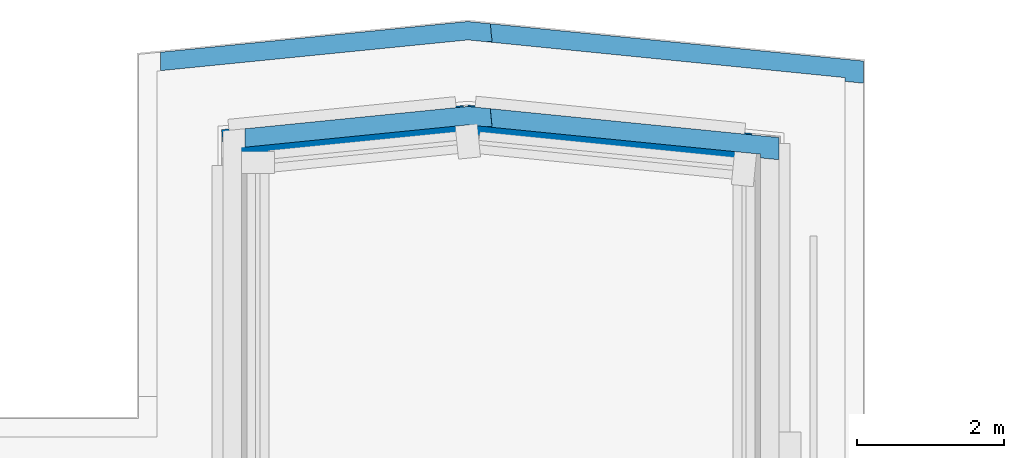
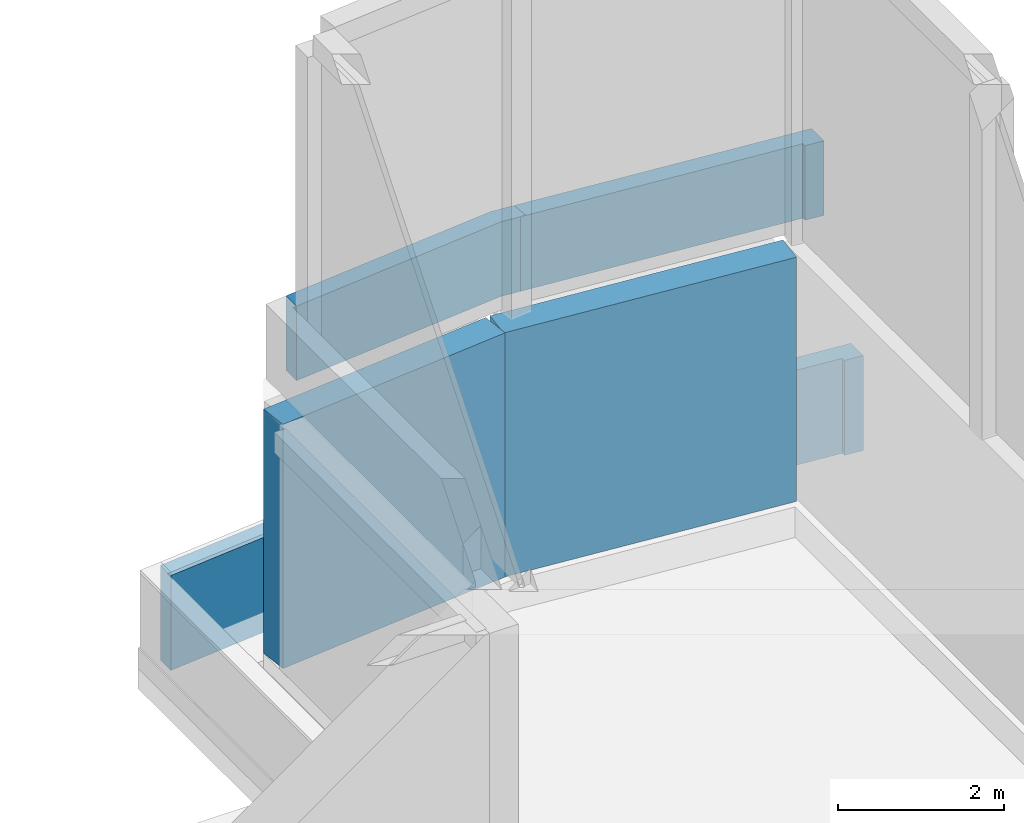
# One storey, part 2 of 4: 6 walls.
"""IFC4 building model written with IfcOpenShell, lengths in metres."""

from ifc_helpers import new_model, si_unit, direction, frame, frame_2d, origin, place, context, subcontext, project, spatial, polyline, rectangle, outline, extrude, material, layer, layer_set, type_object, element, save


model = new_model("IFC4")

# Units and contexts
model_context = context("Model", 3, precision=1e-05, world=origin(), true_north=direction((0.0, 1.0)))
body_context = subcontext(model_context, "Body", "Model", "MODEL_VIEW")
ifc_project = project(units=[si_unit("LENGTHUNIT", "METRE"), si_unit("AREAUNIT", "SQUARE_METRE"), si_unit("VOLUMEUNIT", "CUBIC_METRE"), si_unit("PLANEANGLEUNIT", "RADIAN"), si_unit("MASSUNIT", "GRAM", prefix="KILO")], contexts=[model_context])

# Site, building, storey
site_placement = place(None, origin())
site = spatial("IfcSite", under=ifc_project, at=site_placement, CompositionType="ELEMENT")
building_placement = place(site_placement, origin())
building = spatial("IfcBuilding", under=site, at=building_placement, Name="Brondeck Convention Tower", CompositionType="ELEMENT")
storey_placement = place(building_placement, frame((0.0, 0.0, 310.800048828125)))
storey = spatial("IfcBuildingStorey", under=building, at=storey_placement, Name="ROOF 1", CompositionType="ELEMENT", Elevation=310.800048828125)

# Walls
ifc_material_1 = material(Name="Precast concrete C50/60 bronze finish", Category="concrete")
ifc_layer_1 = layer(ifc_material_1, 0.39990234375)
ifc_layer_set_1 = layer_set([ifc_layer_1], Name="Crown tier wall, precast concrete C50/60")
wall_type_1 = type_object("IfcWallType", Name="Crown tier wall, precast concrete C50/60", PredefinedType="SOLIDWALL", material=ifc_layer_set_1)
wall_1_placement = place(storey_placement, frame((8.97998046875, 62.54541015625, 0.449951171875), z_axis=(0.0, 0.0, 1.0), x_axis=(0.995031587839, -0.09955972681, 0.0)))
element("IfcWall", 1, at=wall_1_placement, inside=storey, type_object=wall_type_1, Name="ENV-CT-K1-T1-W03", PredefinedType="SOLIDWALL", context=body_context, shape_type="SweptSolid", body=[
    extrude(rectangle(XDim=3.88427734375, YDim=0.39990234375, at=frame_2d((1.942138671875, 0.0))), origin(), (0.0, 0.0, 1.0), 3.60009765625),
])
wall_2_placement = place(storey_placement, frame((5.669921875, 62.210205078125, 0.449951171875), z_axis=(0.0, 0.0, 1.0), x_axis=(0.995036458737, 0.099511033478, 0.0)))
element("IfcWall", 2, at=wall_2_placement, inside=storey, type_object=wall_type_1, Name="ENV-CT-K1-T1-W04", PredefinedType="SOLIDWALL", context=body_context, shape_type="SweptSolid", body=[
    extrude(rectangle(XDim=3.3046875, YDim=0.39990234375, at=frame_2d((1.65234375, 0.0))), origin(), (0.0, 0.0, 1.0), 3.60009765625),
])
ifc_material_2 = material(Name="Precast concrete C50/60", Category="concrete")
ifc_layer_2 = layer(ifc_material_2, 0.25)
ifc_layer_set_2 = layer_set([ifc_layer_2], Name="Roof parapet, precast concrete C50/60")
wall_type_2 = type_object("IfcWallType", Name="Roof parapet, precast concrete C50/60", PredefinedType="PARAPET", material=ifc_layer_set_2)
wall_3_placement = place(storey_placement, origin())
element("IfcWall", 3, at=wall_3_placement, inside=storey, type_object=wall_type_2, Name="ENV-ROOF-K1-PA-08", PredefinedType="PARAPET", context=body_context, shape_type="SweptSolid", body=[
    extrude(outline(polyline([(9.251220703125, 63.603515625), (9.328369140625, 63.611083984375), (9.304443359375, 63.849365234375), (9.0, 63.8798828125), (4.821044921875, 63.4619140625), (4.821044921875, 63.4619140625), (4.821044921875, 63.4619140625), (4.821044921875, 63.210693359375), (9.0, 63.628662109375), (9.251220703125, 63.603515625)])), origin(), (0.0, 0.0, 1.0), 1.39990234375),
])
wall_4_placement = place(storey_placement, origin())
element("IfcWall", 4, at=wall_4_placement, inside=storey, type_object=wall_type_2, Name="ENV-ROOF-K1-PA-09", PredefinedType="PARAPET", context=body_context, shape_type="SweptSolid", body=[
    extrude(outline(polyline([(14.1298828125, 63.11572265625), (14.1298828125, 63.0654296875), (14.3798828125, 63.040283203125), (14.3798828125, 63.341796875), (9.3056640625, 63.849365234375), (9.329345703125, 63.611328125), (9.329345703125, 63.611083984375), (9.329345703125, 63.611083984375), (9.329345703125, 63.611083984375), (9.329345703125, 63.611083984375), (9.329345703125, 63.61083984375), (9.3291015625, 63.61083984375), (9.3291015625, 63.610595703125), (9.3291015625, 63.610595703125), (9.3291015625, 63.610595703125), (9.3291015625, 63.610595703125), (9.328857421875, 63.6103515625), (9.328857421875, 63.6103515625), (9.32861328125, 63.6103515625), (9.32861328125, 63.6103515625), (9.32861328125, 63.6103515625), (9.32861328125, 63.610107421875), (9.25634765625, 63.60302734375), (14.1298828125, 63.11572265625)])), origin(), (0.0, 0.0, 1.0), 1.39990234375),
])
wall_5_placement = place(storey_placement, frame((0.0, 0.0, 4.5)))
element("IfcWall", 5, at=wall_5_placement, inside=storey, type_object=wall_type_2, Name="ENV-CT-K1-T1-PA08", PredefinedType="PARAPET", context=body_context, shape_type="SweptSolid", body=[
    extrude(outline(polyline([(9.251220703125, 62.44775390625), (9.328369140625, 62.45556640625), (9.304443359375, 62.693603515625), (9.0, 62.72412109375), (5.970947265625, 62.42138671875), (5.970947265625, 62.42138671875), (5.970947265625, 62.421142578125), (5.970947265625, 62.169921875), (9.0, 62.472900390625), (9.251220703125, 62.44775390625)])), origin(), (0.0, 0.0, 1.0), 1.099853515625),
])
wall_6_placement = place(storey_placement, frame((0.0, 0.0, 4.5)))
element("IfcWall", 6, at=wall_6_placement, inside=storey, type_object=wall_type_2, Name="ENV-CT-K1-T1-PA09", PredefinedType="PARAPET", context=body_context, shape_type="SweptSolid", body=[
    extrude(outline(polyline([(12.97998046875, 62.074951171875), (12.97998046875, 62.024658203125), (13.22998046875, 61.999755859375), (13.22998046875, 62.30126953125), (9.3056640625, 62.693603515625), (9.329345703125, 62.45556640625), (9.329345703125, 62.45556640625), (9.329345703125, 62.455322265625), (9.329345703125, 62.455322265625), (9.329345703125, 62.455078125), (9.329345703125, 62.455078125), (9.3291015625, 62.455078125), (9.3291015625, 62.455078125), (9.3291015625, 62.454833984375), (9.3291015625, 62.454833984375), (9.3291015625, 62.45458984375), (9.328857421875, 62.45458984375), (9.328857421875, 62.45458984375), (9.32861328125, 62.45458984375), (9.32861328125, 62.45458984375), (9.32861328125, 62.45458984375), (9.32861328125, 62.45458984375), (9.25634765625, 62.447265625), (12.97998046875, 62.074951171875)])), origin(), (0.0, 0.0, 1.0), 1.099853515625),
])

save(model, "model.ifc")
